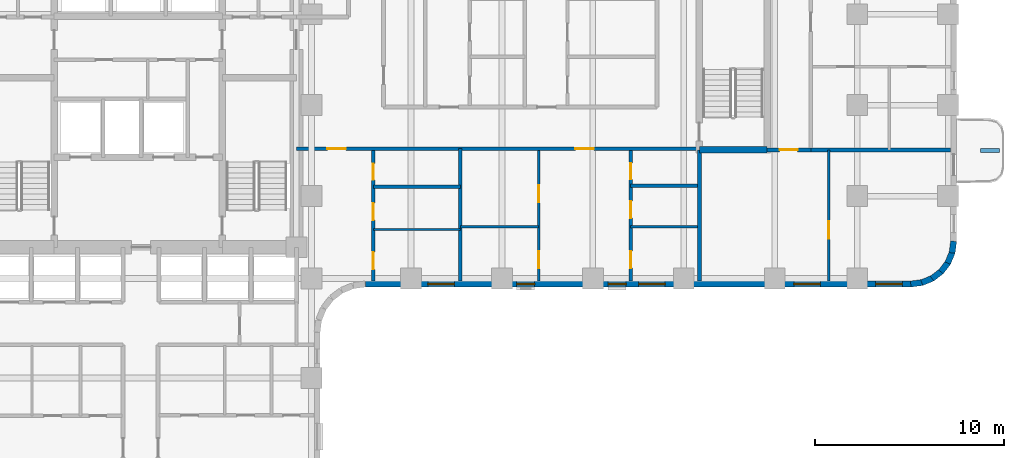
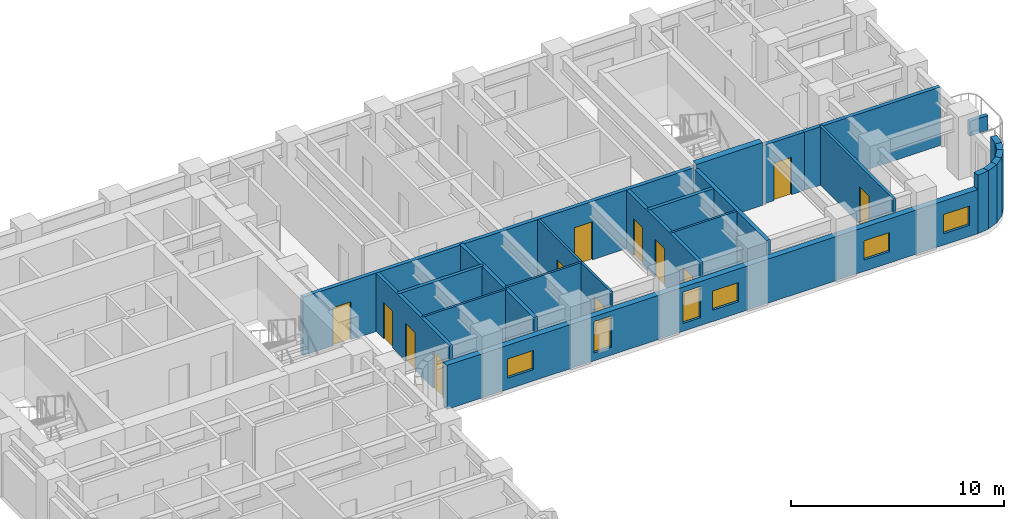
# One storey, part 5 of 10: 23 walls, 12 doors, 6 windows, 18 openings.
"""IFC4 building model written with IfcOpenShell, lengths in metres."""

from ifc_helpers import new_model, si_unit, direction, frame, frame_2d, origin, place, context, subcontext, project, spatial, rectangle, extrude, material, layer, layer_set, type_object, element, fill, save


model = new_model("IFC4")

# Units and contexts
model_context = context("Model", 3, precision=1e-05, world=origin(), true_north=direction((0.0, 1.0)))
body_context = subcontext(model_context, "Body", "Model", "MODEL_VIEW")
ifc_project = project(units=[si_unit("LENGTHUNIT", "METRE"), si_unit("AREAUNIT", "SQUARE_METRE"), si_unit("VOLUMEUNIT", "CUBIC_METRE"), si_unit("PLANEANGLEUNIT", "RADIAN"), si_unit("MASSUNIT", "GRAM", prefix="KILO")], contexts=[model_context])

# Site, building, storey
site_placement = place(None, origin())
site = spatial("IfcSite", under=ifc_project, at=site_placement, CompositionType="ELEMENT")
building_placement = place(site_placement, origin())
building = spatial("IfcBuilding", under=site, at=building_placement, Name="Orvandelia Arch Residences", CompositionType="ELEMENT")
storey_placement = place(building_placement, frame((0.0, 0.0, 28.60009765625)))
storey = spatial("IfcBuildingStorey", under=building, at=storey_placement, Name="L06", CompositionType="ELEMENT", Elevation=28.60009765625)

# Wall
ifc_material_1 = material(Name="Concrete C50/60", Category="concrete")
ifc_layer_1 = layer(ifc_material_1, 0.35009765625, Name="Concrete C50/60", Category="concrete")
ifc_layer_set_1 = layer_set([ifc_layer_1], Name="Concrete C50/60")
wall_type_1 = type_object("IfcWallType", Name="WL-CORE-350", PredefinedType="SHEAR", material=ifc_layer_set_1)
wall_1_placement = place(storey_placement, frame((44.02001953125, 36.0400390625, 0.0), z_axis=(0.0, 0.0, 1.0), x_axis=(1.0, 0.0, 0.0)))
element("IfcWall", 1, at=wall_1_placement, inside=storey, type_object=wall_type_1, Name="East Stair Core Shear Wall L06-S", PredefinedType="SHEAR", context=body_context, shape_type="SweptSolid", body=[
    extrude(rectangle(XDim=3.580078125, YDim=0.35009765625, at=frame_2d((1.7900390625, 0.0))), origin(), (0.0, 0.0, 1.0), 3.599853515625),
])

# Wall, openings, doors
ifc_material_2 = material(Name="Fire-Rated Corridor Partition")
ifc_layer_2 = layer(ifc_material_2, 0.199951171875, Name="Fire-Rated Corridor Partition")
ifc_layer_set_2 = layer_set([ifc_layer_2], Name="Fire-Rated Corridor Partition")
wall_type_2 = type_object("IfcWallType", Name="WL-CORR-200", PredefinedType="PARTITIONING", material=ifc_layer_set_2)
wall_2_placement = place(storey_placement, frame((22.75, 36.10009765625, 0.0), z_axis=(0.0, 0.0, 1.0), x_axis=(1.0, 0.0, 0.0)))
wall_2 = element("IfcWall", 2, at=wall_2_placement, inside=storey, type_object=wall_type_2, Name="Interior Partition Wall WL-L06-EM-S1", PredefinedType="PARTITIONING", context=body_context, shape_type="SweptSolid", body=[
    extrude(rectangle(XDim=21.27001953125, YDim=0.199951171875, at=frame_2d((10.635009765625, 0.0))), origin(), (0.0, 0.0, 1.0), 3.349853515625),
])
opening_1_placement = place(wall_2_placement, frame((1.62841796875, 0.0, 0.0)))
opening_1 = element("IfcOpeningElement", 3, at=opening_1_placement, cuts=wall_2, Name="Opening D1", PredefinedType="OPENING", context=body_context, shape_type="SweptSolid", body=[
    extrude(rectangle(XDim=0.97998046875, YDim=2.179931640625, at=frame_2d((0.489990234375, 1.08984375))), frame((0.0, 0.10986328125, 0.0), z_axis=(0.0, -1.0, 0.0), x_axis=(1.0, 0.0, 0.0)), (0.0, 0.0, 1.0), 0.219970703125),
])
opening_2_placement = place(wall_2_placement, frame((14.724609375, 0.0, 0.0)))
opening_2 = element("IfcOpeningElement", 4, at=opening_2_placement, cuts=wall_2, Name="Opening D1", PredefinedType="OPENING", context=body_context, shape_type="SweptSolid", body=[
    extrude(rectangle(XDim=0.97998046875, YDim=2.179931640625, at=frame_2d((0.489990234375, 1.08984375))), frame((0.0, 0.10986328125, 0.0), z_axis=(0.0, -1.0, 0.0), x_axis=(1.0, 0.0, 0.0)), (0.0, 0.0, 1.0), 0.219970703125),
])
ifc_material_3 = material(Name="Solid-Core Timber Acoustic Fire Door", Category="wood")
door_type_1 = type_object("IfcDoorType", Name="DR-ENT-980", OperationType="NOTDEFINED", PredefinedType="DOOR", material=ifc_material_3)
door_1_placement = place(opening_1_placement, origin())
door_1 = element("IfcDoor", 5, at=door_1_placement, inside=storey, type_object=door_type_1, Name="Unit L06-07 Entrance Door", OperationType="SINGLE_SWING_LEFT", OverallHeight=2.179931640625, OverallWidth=0.97998046875, PredefinedType="DOOR", context=body_context, shape_type="SweptSolid", body=[
    extrude(rectangle(XDim=0.97998046875, YDim=2.179931640625, at=frame_2d((0.489990234375, 1.08984375))), frame((0.0, 0.02490234375, 0.0), z_axis=(0.0, -1.0, 0.0), x_axis=(1.0, 0.0, 0.0)), (0.0, 0.0, 1.0), 0.050048828125),
])
fill(opening_1, door_1)
door_2_placement = place(opening_2_placement, origin())
door_2 = element("IfcDoor", 6, at=door_2_placement, inside=storey, type_object=door_type_1, Name="Unit L06-08 Entrance Door", OperationType="SINGLE_SWING_RIGHT", OverallHeight=2.179931640625, OverallWidth=0.97998046875, PredefinedType="DOOR", context=body_context, shape_type="SweptSolid", body=[
    extrude(rectangle(XDim=0.97998046875, YDim=2.179931640625, at=frame_2d((0.489990234375, 1.08984375))), frame((0.0, 0.02490234375, 0.0), z_axis=(0.0, -1.0, 0.0), x_axis=(1.0, 0.0, 0.0)), (0.0, 0.0, 1.0), 0.050048828125),
])
fill(opening_2, door_2)

# Wall, opening, door
wall_3_placement = place(storey_placement, frame((47.60009765625, 36.0400390625, 0.0), z_axis=(0.0, 0.0, 1.0), x_axis=(1.0, 0.0, 0.0)))
wall_3 = element("IfcWall", 7, at=wall_3_placement, inside=storey, type_object=wall_type_2, Name="Interior Partition Wall WL-L06-ETE-S", PredefinedType="PARTITIONING", context=body_context, shape_type="SweptSolid", body=[
    extrude(rectangle(XDim=2.2998046875, YDim=0.199951171875, at=frame_2d((1.14990234375, 0.0))), origin(), (0.0, 0.0, 1.0), 3.349853515625),
])
opening_3_placement = place(wall_3_placement, frame((0.64990234375, 0.0, 0.0)))
opening_3 = element("IfcOpeningElement", 8, at=opening_3_placement, cuts=wall_3, Name="Opening D2", PredefinedType="OPENING", context=body_context, shape_type="SweptSolid", body=[
    extrude(rectangle(XDim=0.949951171875, YDim=2.14990234375, at=frame_2d((0.47509765625, 1.074951171875))), frame((0.0, 0.10986328125, 0.0), z_axis=(0.0, -1.0, 0.0), x_axis=(1.0, 0.0, 0.0)), (0.0, 0.0, 1.0), 0.219970703125),
])
ifc_material_4 = material(Name="Solid-Core Timber Interior Fire Door", Category="wood")
door_type_2 = type_object("IfcDoorType", Name="DR-APT-950", OperationType="NOTDEFINED", PredefinedType="DOOR", material=ifc_material_4)
door_3_placement = place(opening_3_placement, origin())
door_3 = element("IfcDoor", 9, at=door_3_placement, inside=storey, type_object=door_type_2, Name="DR-L06-EMS3", OperationType="SINGLE_SWING_LEFT", OverallHeight=2.14990234375, OverallWidth=0.949951171875, PredefinedType="DOOR", context=body_context, shape_type="SweptSolid", body=[
    extrude(rectangle(XDim=0.949951171875, YDim=2.14990234375, at=frame_2d((0.47509765625, 1.074951171875))), frame((0.0, 0.02490234375, 0.0), z_axis=(0.0, -1.0, 0.0), x_axis=(1.0, 0.0, 0.0)), (0.0, 0.0, 1.0), 0.050048828125),
])
fill(opening_3, door_3)

# Walls
ifc_material_5 = material(Name="Concrete C40/50", Category="concrete")
ifc_layer_3 = layer(ifc_material_5, 0.199951171875, Name="Concrete C40/50", Category="concrete")
ifc_layer_set_3 = layer_set([ifc_layer_3], Name="Concrete C40/50")
wall_type_3 = type_object("IfcWallType", Name="WL-DEM-200", PredefinedType="SOLIDWALL", material=ifc_layer_set_3)
wall_4_placement = place(storey_placement, frame((31.39990234375, 29.1201171875, 0.0), z_axis=(0.0, 0.0, 1.0), x_axis=(0.0, 1.0, 0.0)))
element("IfcWall", 10, at=wall_4_placement, inside=storey, type_object=wall_type_3, Name="Interior Partition Wall WL-L06-DEM-EMS-314", PredefinedType="SOLIDWALL", context=body_context, shape_type="SweptSolid", body=[
    extrude(rectangle(XDim=6.97998046875, YDim=0.199951171875, at=frame_2d((3.489990234375, 0.0))), origin(), (0.0, 0.0, 1.0), 3.349853515625),
])
wall_5_placement = place(storey_placement, frame((44.02001953125, 29.1201171875, 0.0), z_axis=(0.0, 0.0, 1.0), x_axis=(0.0, 1.0, 0.0)))
element("IfcWall", 11, at=wall_5_placement, inside=storey, type_object=wall_type_3, Name="Interior Partition Wall WL-L06-EMS3-W", PredefinedType="SOLIDWALL", context=body_context, shape_type="SweptSolid", body=[
    extrude(rectangle(XDim=6.919921875, YDim=0.199951171875, at=frame_2d((3.4599609375, 0.0))), origin(), (0.0, 0.0, 1.0), 3.349853515625),
])
wall_6_placement = place(storey_placement, frame((49.89990234375, 36.0400390625, 0.0), z_axis=(0.0, 0.0, 1.0), x_axis=(1.0, 0.0, 0.0)))
element("IfcWall", 12, at=wall_6_placement, inside=storey, type_object=wall_type_3, Name="Interior Partition Wall WL-L06-EMS3-N2", PredefinedType="SOLIDWALL", context=body_context, shape_type="SweptSolid", body=[
    extrude(rectangle(XDim=7.380126953125, YDim=0.199951171875, at=frame_2d((3.68994140625, 0.0))), origin(), (0.0, 0.0, 1.0), 3.349853515625),
])
ifc_material_6 = material(Name="Precast concrete C40/50", Category="concrete")
ifc_layer_4 = layer(ifc_material_6, 0.320068359375, Name="Precast concrete C40/50", Category="concrete")
ifc_layer_set_4 = layer_set([ifc_layer_4], Name="Precast concrete C40/50")
wall_type_4 = type_object("IfcWallType", Name="WL-EXT-STONE-320", PredefinedType="STANDARD", material=ifc_layer_set_4)
wall_7_placement = place(storey_placement, frame((57.44140625, 31.220947265625, 0.0), z_axis=(0.0, 0.0, 1.0), x_axis=(-0.130504898859, -0.991447664465, 0.0)))
element("IfcWall", 13, at=wall_7_placement, inside=storey, type_object=wall_type_4, Name="Coral-Limestone Precast Facade Wall L06-015", PredefinedType="STANDARD", context=body_context, shape_type="SweptSolid", body=[
    extrude(rectangle(XDim=0.626708984375, YDim=0.320068359375, at=frame_2d((0.3134765625, 0.0))), origin(), (0.0, 0.0, 1.0), 3.349853515625),
])
wall_8_placement = place(storey_placement, frame((57.370361328125, 30.639892578125, 0.0), z_axis=(0.0, 0.0, 1.0), x_axis=(-0.382787856107, -0.923836271867, 0.0)))
element("IfcWall", 14, at=wall_8_placement, inside=storey, type_object=wall_type_4, Name="Coral-Limestone Precast Facade Wall L06-016", PredefinedType="STANDARD", context=body_context, shape_type="SweptSolid", body=[
    extrude(rectangle(XDim=0.626220703125, YDim=0.320068359375, at=frame_2d((0.31298828125, 0.0))), origin(), (0.0, 0.0, 1.0), 3.349853515625),
])
wall_9_placement = place(storey_placement, frame((57.151611328125, 30.097412109375, 0.0), z_axis=(0.0, 0.0, 1.0), x_axis=(-0.608693302629, -0.793405610854, 0.0)))
element("IfcWall", 15, at=wall_9_placement, inside=storey, type_object=wall_type_4, Name="Coral-Limestone Precast Facade Wall L06-017", PredefinedType="STANDARD", context=body_context, shape_type="SweptSolid", body=[
    extrude(rectangle(XDim=0.62646484375, YDim=0.320068359375, at=frame_2d((0.313232421875, 0.0))), origin(), (0.0, 0.0, 1.0), 3.349853515625),
])
wall_10_placement = place(storey_placement, frame((56.7998046875, 29.6298828125, 0.0), z_axis=(0.0, 0.0, 1.0), x_axis=(-0.793361818833, -0.608750379399, 0.0)))
element("IfcWall", 16, at=wall_10_placement, inside=storey, type_object=wall_type_4, Name="Coral-Limestone Precast Facade Wall L06-018", PredefinedType="STANDARD", context=body_context, shape_type="SweptSolid", body=[
    extrude(rectangle(XDim=0.626953125, YDim=0.320068359375, at=frame_2d((0.3134765625, 0.0))), origin(), (0.0, 0.0, 1.0), 3.349853515625),
])
for number, where, z_axis, x_axis, name in (
    (17, (56.3388671875, 29.269287109375, 0.0), (0.0, 0.0, 1.0), (-0.92389335771, -0.382650053678, 0.0), "Coral-Limestone Precast Facade Wall L06-019"),
    (18, (55.80029296875, 29.040283203125, 0.0), (0.0, 0.0, 1.0), (-0.9914410257, -0.130555323746, 0.0), "Coral-Limestone Precast Facade Wall L06-020"),
):
    element("IfcWall", number, at=place(storey_placement, frame(where, z_axis=z_axis, x_axis=x_axis)), inside=storey, type_object=wall_type_4, Name=name, PredefinedType="STANDARD", context=body_context, shape_type="SweptSolid", body=[
        extrude(rectangle(XDim=0.62646484375, YDim=0.320068359375, at=frame_2d((0.313232421875, 0.0))), origin(), (0.0, 0.0, 1.0), 3.349853515625),
    ])

# Wall, openings, windows
wall_11_placement = place(storey_placement, frame((55.199951171875, 28.9599609375, 0.0), z_axis=(0.0, 0.0, 1.0), x_axis=(-1.0, 0.0, 0.0)))
wall_11 = element("IfcWall", 19, at=wall_11_placement, inside=storey, type_object=wall_type_4, Name="Coral-Limestone Precast Facade Wall L06-021", PredefinedType="STANDARD", context=body_context, shape_type="SweptSolid", body=[
    extrude(rectangle(XDim=28.800048828125, YDim=0.320068359375, at=frame_2d((14.39990234375, 0.0))), origin(), (0.0, 0.0, 1.0), 2.52978515625),
])
opening_4_placement = place(wall_11_placement, frame((24.114990234375, 0.0, 0.64990234375)))
opening_4 = element("IfcOpeningElement", 20, at=opening_4_placement, cuts=wall_11, Name="Opening W10", PredefinedType="OPENING", context=body_context, shape_type="SweptSolid", body=[
    extrude(rectangle(XDim=1.39990234375, YDim=1.10009765625, at=frame_2d((0.699951171875, 0.550048828125))), frame((0.0, 0.169921875, 0.0), z_axis=(0.0, -1.0, 0.0), x_axis=(1.0, 0.0, 0.0)), (0.0, 0.0, 1.0), 0.340087890625),
])
opening_5_placement = place(wall_11_placement, frame((12.990966796875, 0.0, 0.64990234375)))
opening_5 = element("IfcOpeningElement", 21, at=opening_5_placement, cuts=wall_11, Name="Opening W10", PredefinedType="OPENING", context=body_context, shape_type="SweptSolid", body=[
    extrude(rectangle(XDim=1.39990234375, YDim=1.10009765625, at=frame_2d((0.699951171875, 0.550048828125))), frame((0.0, 0.169921875, 0.0), z_axis=(0.0, -1.0, 0.0), x_axis=(1.0, 0.0, 0.0)), (0.0, 0.0, 1.0), 0.340087890625),
])
opening_6_placement = place(wall_11_placement, frame((19.869384765625, 0.0, 0.449951171875)))
opening_6 = element("IfcOpeningElement", 22, at=opening_6_placement, cuts=wall_11, Name="Opening W4", PredefinedType="OPENING", context=body_context, shape_type="SweptSolid", body=[
    extrude(rectangle(XDim=0.949951171875, YDim=1.800048828125, at=frame_2d((0.47509765625, 0.89990234375))), frame((0.0, 0.169921875, 0.0), z_axis=(0.0, -1.0, 0.0), x_axis=(1.0, 0.0, 0.0)), (0.0, 0.0, 1.0), 0.340087890625),
])
opening_7_placement = place(wall_11_placement, frame((4.7900390625, 0.0, 0.64990234375)))
opening_7 = element("IfcOpeningElement", 23, at=opening_7_placement, cuts=wall_11, Name="Opening W10", PredefinedType="OPENING", context=body_context, shape_type="SweptSolid", body=[
    extrude(rectangle(XDim=1.39990234375, YDim=1.10009765625, at=frame_2d((0.699951171875, 0.550048828125))), frame((0.0, 0.169921875, 0.0), z_axis=(0.0, -1.0, 0.0), x_axis=(1.0, 0.0, 0.0)), (0.0, 0.0, 1.0), 0.340087890625),
])
opening_8_placement = place(wall_11_placement, frame((0.469970703125, 0.0, 0.64990234375)))
opening_8 = element("IfcOpeningElement", 24, at=opening_8_placement, cuts=wall_11, Name="Opening W10", PredefinedType="OPENING", context=body_context, shape_type="SweptSolid", body=[
    extrude(rectangle(XDim=1.39990234375, YDim=1.10009765625, at=frame_2d((0.699951171875, 0.550048828125))), frame((0.0, 0.169921875, 0.0), z_axis=(0.0, -1.0, 0.0), x_axis=(1.0, 0.0, 0.0)), (0.0, 0.0, 1.0), 0.340087890625),
])
opening_9_placement = place(wall_11_placement, frame((15.0458984375, 0.0, 0.449951171875)))
opening_9 = element("IfcOpeningElement", 25, at=opening_9_placement, cuts=wall_11, Name="Opening W4", PredefinedType="OPENING", context=body_context, shape_type="SweptSolid", body=[
    extrude(rectangle(XDim=0.949951171875, YDim=1.800048828125, at=frame_2d((0.47509765625, 0.89990234375))), frame((0.0, 0.169921875, 0.0), z_axis=(0.0, -1.0, 0.0), x_axis=(1.0, 0.0, 0.0)), (0.0, 0.0, 1.0), 0.340087890625),
])
ifc_material_7 = material(Name="Tempered Low-E Insulated Glazing", Category="glass")
window_type_1 = type_object("IfcWindowType", Name="WIN-CLR-1400x1100", PartitioningType="SINGLE_PANEL", PredefinedType="WINDOW", material=ifc_material_7)
window_1_placement = place(opening_4_placement, origin())
window_1 = element("IfcWindow", 26, at=window_1_placement, inside=storey, type_object=window_type_1, Name="Recessed Punched Window L06-016", OverallHeight=1.10009765625, OverallWidth=1.39990234375, PartitioningType="SINGLE_PANEL", PredefinedType="WINDOW", context=body_context, shape_type="SweptSolid", body=[
    extrude(rectangle(XDim=1.39990234375, YDim=1.10009765625, at=frame_2d((0.699951171875, 0.550048828125))), frame((0.0, 0.030029296875, 0.0), z_axis=(0.0, -1.0, 0.0), x_axis=(1.0, 0.0, 0.0)), (0.0, 0.0, 1.0), 0.06005859375),
])
fill(opening_4, window_1)
window_2_placement = place(opening_5_placement, origin())
window_2 = element("IfcWindow", 27, at=window_2_placement, inside=storey, type_object=window_type_1, Name="Recessed Punched Window L06-017", OverallHeight=1.10009765625, OverallWidth=1.39990234375, PartitioningType="SINGLE_PANEL", PredefinedType="WINDOW", context=body_context, shape_type="SweptSolid", body=[
    extrude(rectangle(XDim=1.39990234375, YDim=1.10009765625, at=frame_2d((0.699951171875, 0.550048828125))), frame((0.0, 0.030029296875, 0.0), z_axis=(0.0, -1.0, 0.0), x_axis=(1.0, 0.0, 0.0)), (0.0, 0.0, 1.0), 0.06005859375),
])
fill(opening_5, window_2)
window_3_placement = place(opening_7_placement, origin())
window_3 = element("IfcWindow", 28, at=window_3_placement, inside=storey, type_object=window_type_1, Name="Recessed Punched Window L06-019", OverallHeight=1.10009765625, OverallWidth=1.39990234375, PartitioningType="SINGLE_PANEL", PredefinedType="WINDOW", context=body_context, shape_type="SweptSolid", body=[
    extrude(rectangle(XDim=1.39990234375, YDim=1.10009765625, at=frame_2d((0.699951171875, 0.550048828125))), frame((0.0, 0.030029296875, 0.0), z_axis=(0.0, -1.0, 0.0), x_axis=(1.0, 0.0, 0.0)), (0.0, 0.0, 1.0), 0.06005859375),
])
fill(opening_7, window_3)
window_4_placement = place(opening_8_placement, origin())
window_4 = element("IfcWindow", 29, at=window_4_placement, inside=storey, type_object=window_type_1, Name="Recessed Punched Window L06-020", OverallHeight=1.10009765625, OverallWidth=1.39990234375, PartitioningType="SINGLE_PANEL", PredefinedType="WINDOW", context=body_context, shape_type="SweptSolid", body=[
    extrude(rectangle(XDim=1.39990234375, YDim=1.10009765625, at=frame_2d((0.699951171875, 0.550048828125))), frame((0.0, 0.030029296875, 0.0), z_axis=(0.0, -1.0, 0.0), x_axis=(1.0, 0.0, 0.0)), (0.0, 0.0, 1.0), 0.06005859375),
])
fill(opening_8, window_4)
window_type_2 = type_object("IfcWindowType", Name="WIN-RES-0950x1800", PartitioningType="SINGLE_PANEL", PredefinedType="WINDOW", material=ifc_material_7)
window_5_placement = place(opening_6_placement, origin())
window_5 = element("IfcWindow", 30, at=window_5_placement, inside=storey, type_object=window_type_2, Name="Recessed Punched Window L06-018", OverallHeight=1.800048828125, OverallWidth=0.949951171875, PartitioningType="SINGLE_PANEL", PredefinedType="WINDOW", context=body_context, shape_type="SweptSolid", body=[
    extrude(rectangle(XDim=0.949951171875, YDim=1.800048828125, at=frame_2d((0.47509765625, 0.89990234375))), frame((0.0, 0.030029296875, 0.0), z_axis=(0.0, -1.0, 0.0), x_axis=(1.0, 0.0, 0.0)), (0.0, 0.0, 1.0), 0.06005859375),
])
fill(opening_6, window_5)
window_6_placement = place(opening_9_placement, origin())
window_6 = element("IfcWindow", 31, at=window_6_placement, inside=storey, type_object=window_type_2, Name="Recessed Punched Window L06-021", OverallHeight=1.800048828125, OverallWidth=0.949951171875, PartitioningType="SINGLE_PANEL", PredefinedType="WINDOW", context=body_context, shape_type="SweptSolid", body=[
    extrude(rectangle(XDim=0.949951171875, YDim=1.800048828125, at=frame_2d((0.47509765625, 0.89990234375))), frame((0.0, 0.030029296875, 0.0), z_axis=(0.0, -1.0, 0.0), x_axis=(1.0, 0.0, 0.0)), (0.0, 0.0, 1.0), 0.06005859375),
])
fill(opening_9, window_6)

# Wall
ifc_material_8 = material(Name="Lightweight Gypsum Stud Partition")
ifc_layer_5 = layer(ifc_material_8, 0.1201171875, Name="Lightweight Gypsum Stud Partition")
ifc_layer_set_5 = layer_set([ifc_layer_5], Name="Lightweight Gypsum Stud Partition")
wall_type_5 = type_object("IfcWallType", Name="WL-PART-120", PredefinedType="PARTITIONING", material=ifc_layer_set_5)
wall_12_placement = place(storey_placement, frame((26.806884765625, 31.8359375, 0.0), z_axis=(0.0, 0.0, 1.0), x_axis=(1.0, 0.0, 0.0)))
element("IfcWall", 32, at=wall_12_placement, inside=storey, type_object=wall_type_5, Name="Interior Partition Wall WL-L06-U07-H1", PredefinedType="PARTITIONING", context=body_context, shape_type="SweptSolid", body=[
    extrude(rectangle(XDim=4.593017578125, YDim=0.1201171875, at=frame_2d((2.29638671875, 0.0))), origin(), (0.0, 0.0, 1.0), 3.349853515625),
])

# Wall, openings, doors
wall_13_placement = place(storey_placement, frame((35.541015625, 29.1201171875, 0.0), z_axis=(0.0, 0.0, 1.0), x_axis=(0.0, 1.0, 0.0)))
wall_13 = element("IfcWall", 33, at=wall_13_placement, inside=storey, type_object=wall_type_5, Name="Interior Partition Wall WL-L06-U08-VB", PredefinedType="PARTITIONING", context=body_context, shape_type="SweptSolid", body=[
    extrude(rectangle(XDim=6.8798828125, YDim=0.1201171875, at=frame_2d((3.43994140625, 0.0))), origin(), (0.0, 0.0, 1.0), 3.349853515625),
])
opening_10_placement = place(wall_13_placement, frame((0.67919921875, 0.0, 0.0)))
opening_10 = element("IfcOpeningElement", 34, at=opening_10_placement, cuts=wall_13, Name="Opening D3", PredefinedType="OPENING", context=body_context, shape_type="SweptSolid", body=[
    extrude(rectangle(XDim=0.89990234375, YDim=2.14990234375, at=frame_2d((0.449951171875, 1.074951171875))), frame((0.0, 0.070068359375, 0.0), z_axis=(0.0, -1.0, 0.0), x_axis=(1.0, 0.0, 0.0)), (0.0, 0.0, 1.0), 0.14013671875),
])
opening_11_placement = place(wall_13_placement, frame((4.148681640625, 0.0, 0.0)))
opening_11 = element("IfcOpeningElement", 35, at=opening_11_placement, cuts=wall_13, Name="Opening D3", PredefinedType="OPENING", context=body_context, shape_type="SweptSolid", body=[
    extrude(rectangle(XDim=0.89990234375, YDim=2.14990234375, at=frame_2d((0.449951171875, 1.074951171875))), frame((0.0, 0.070068359375, 0.0), z_axis=(0.0, -1.0, 0.0), x_axis=(1.0, 0.0, 0.0)), (0.0, 0.0, 1.0), 0.14013671875),
])
ifc_material_9 = material(Name="Engineered Timber Flush Door", Category="wood")
door_type_3 = type_object("IfcDoorType", Name="DR-INT-900", OperationType="NOTDEFINED", PredefinedType="DOOR", material=ifc_material_9)
door_4_placement = place(opening_10_placement, origin())
door_4 = element("IfcDoor", 36, at=door_4_placement, inside=storey, type_object=door_type_3, Name="DR-L06-U08-BD2", OperationType="SINGLE_SWING_LEFT", OverallHeight=2.14990234375, OverallWidth=0.89990234375, PredefinedType="DOOR", context=body_context, shape_type="SweptSolid", body=[
    extrude(rectangle(XDim=0.89990234375, YDim=2.14990234375, at=frame_2d((0.449951171875, 1.074951171875))), frame((0.0, 0.02490234375, 0.0), z_axis=(0.0, -1.0, 0.0), x_axis=(1.0, 0.0, 0.0)), (0.0, 0.0, 1.0), 0.050048828125),
])
fill(opening_10, door_4)
door_5_placement = place(opening_11_placement, origin())
door_5 = element("IfcDoor", 37, at=door_5_placement, inside=storey, type_object=door_type_3, Name="DR-L06-U08-STDY", OperationType="SINGLE_SWING_RIGHT", OverallHeight=2.14990234375, OverallWidth=0.89990234375, PredefinedType="DOOR", context=body_context, shape_type="SweptSolid", body=[
    extrude(rectangle(XDim=0.89990234375, YDim=2.14990234375, at=frame_2d((0.449951171875, 1.074951171875))), frame((0.0, 0.02490234375, 0.0), z_axis=(0.0, -1.0, 0.0), x_axis=(1.0, 0.0, 0.0)), (0.0, 0.0, 1.0), 0.050048828125),
])
fill(opening_11, door_5)

# Walls
wall_14_placement = place(storey_placement, frame((31.39990234375, 31.97509765625, 0.0), z_axis=(0.0, 0.0, 1.0), x_axis=(1.0, 0.0, 0.0)))
element("IfcWall", 38, at=wall_14_placement, inside=storey, type_object=wall_type_5, Name="Interior Partition Wall WL-L06-U08-HB", PredefinedType="PARTITIONING", context=body_context, shape_type="SweptSolid", body=[
    extrude(rectangle(XDim=4.14111328125, YDim=0.1201171875, at=frame_2d((2.070556640625, 0.0))), origin(), (0.0, 0.0, 1.0), 3.349853515625),
])
wall_15_placement = place(storey_placement, frame((40.387939453125, 31.97509765625, 0.0), z_axis=(0.0, 0.0, 1.0), x_axis=(1.0, 0.0, 0.0)))
element("IfcWall", 39, at=wall_15_placement, inside=storey, type_object=wall_type_5, Name="Interior Partition Wall WL-L06-U08-H1", PredefinedType="PARTITIONING", context=body_context, shape_type="SweptSolid", body=[
    extrude(rectangle(XDim=3.531982421875, YDim=0.1201171875, at=frame_2d((1.76611328125, 0.0))), origin(), (0.0, 0.0, 1.0), 3.349853515625),
])

# Wall, opening, door
ifc_material_10 = material(Name="Acoustic Gypsum Stud Partition")
ifc_layer_6 = layer(ifc_material_10, 0.14990234375, Name="Acoustic Gypsum Stud Partition")
ifc_layer_set_6 = layer_set([ifc_layer_6], Name="Acoustic Gypsum Stud Partition")
wall_type_6 = type_object("IfcWallType", Name="WL-PART-150", PredefinedType="PARTITIONING", material=ifc_layer_set_6)
wall_16_placement = place(storey_placement, frame((50.85009765625, 29.1201171875, 0.0), z_axis=(0.0, 0.0, 1.0), x_axis=(0.0, 1.0, 0.0)))
wall_16 = element("IfcWall", 40, at=wall_16_placement, inside=storey, type_object=wall_type_6, Name="Interior Partition Wall WL-L06-EMS3-M", PredefinedType="PARTITIONING", context=body_context, shape_type="SweptSolid", body=[
    extrude(rectangle(XDim=6.919921875, YDim=0.14990234375, at=frame_2d((3.4599609375, 0.0))), origin(), (0.0, 0.0, 1.0), 3.349853515625),
])
opening_12_placement = place(wall_16_placement, frame((2.239990234375, 0.0, 0.0)))
opening_12 = element("IfcOpeningElement", 41, at=opening_12_placement, cuts=wall_16, Name="Opening D3", PredefinedType="OPENING", context=body_context, shape_type="SweptSolid", body=[
    extrude(rectangle(XDim=0.89990234375, YDim=2.14990234375, at=frame_2d((0.449951171875, 1.074951171875))), frame((0.0, 0.0849609375, 0.0), z_axis=(0.0, -1.0, 0.0), x_axis=(1.0, 0.0, 0.0)), (0.0, 0.0, 1.0), 0.169921875),
])
door_6_placement = place(opening_12_placement, origin())
door_6 = element("IfcDoor", 42, at=door_6_placement, inside=storey, type_object=door_type_3, Name="DR-L06-EMS3M", OperationType="SINGLE_SWING_RIGHT", OverallHeight=2.14990234375, OverallWidth=0.89990234375, PredefinedType="DOOR", context=body_context, shape_type="SweptSolid", body=[
    extrude(rectangle(XDim=0.89990234375, YDim=2.14990234375, at=frame_2d((0.449951171875, 1.074951171875))), frame((0.0, 0.02490234375, 0.0), z_axis=(0.0, -1.0, 0.0), x_axis=(1.0, 0.0, 0.0)), (0.0, 0.0, 1.0), 0.050048828125),
])
fill(opening_12, door_6)

# Wall
ifc_layer_7 = layer(ifc_material_6, 0.199951171875, Name="Precast concrete C40/50", Category="concrete")
ifc_layer_set_7 = layer_set([ifc_layer_7], Name="Precast concrete C40/50")
wall_type_7 = type_object("IfcWallType", Name="WL-PLANTER-200", PredefinedType="MOVABLE", material=ifc_layer_set_7)
wall_17_placement = place(storey_placement, frame((58.85009765625, 36.0, 0.0), z_axis=(0.0, 0.0, 1.0), x_axis=(1.0, 0.0, 0.0)))
element("IfcWall", 43, at=wall_17_placement, inside=storey, type_object=wall_type_7, Name="Balcony Precast Tree Planter BAL-L06-E1", PredefinedType="MOVABLE", context=body_context, shape_type="SweptSolid", body=[
    extrude(rectangle(XDim=1.0, YDim=0.199951171875, at=frame_2d((0.5, 0.0))), origin(), (0.0, 0.0, 1.0), 0.849853515625),
])

# Wall, openings, doors
ifc_material_11 = material(Name="Moisture-Resistant Plumbing Wall")
ifc_layer_8 = layer(ifc_material_11, 0.179931640625, Name="Moisture-Resistant Plumbing Wall")
ifc_layer_set_8 = layer_set([ifc_layer_8], Name="Moisture-Resistant Plumbing Wall")
wall_type_8 = type_object("IfcWallType", Name="WL-WET-180", PredefinedType="PLUMBINGWALL", material=ifc_layer_set_8)
wall_18_placement = place(storey_placement, frame((26.806884765625, 29.1201171875, 0.0), z_axis=(0.0, 0.0, 1.0), x_axis=(0.0, 1.0, 0.0)))
wall_18 = element("IfcWall", 44, at=wall_18_placement, inside=storey, type_object=wall_type_8, Name="Interior Partition Wall WL-L06-U07-VT", PredefinedType="PLUMBINGWALL", context=body_context, shape_type="SweptSolid", body=[
    extrude(rectangle(XDim=6.8798828125, YDim=0.179931640625, at=frame_2d((3.43994140625, 0.0))), origin(), (0.0, 0.0, 1.0), 3.349853515625),
])
opening_13_placement = place(wall_18_placement, frame((0.61669921875, 0.0, 0.0)))
opening_13 = element("IfcOpeningElement", 45, at=opening_13_placement, cuts=wall_18, Name="Opening D3", PredefinedType="OPENING", context=body_context, shape_type="SweptSolid", body=[
    extrude(rectangle(XDim=0.89990234375, YDim=2.14990234375, at=frame_2d((0.449951171875, 1.074951171875))), frame((0.0, 0.10009765625, 0.0), z_axis=(0.0, -1.0, 0.0), x_axis=(1.0, 0.0, 0.0)), (0.0, 0.0, 1.0), 0.199951171875),
])
opening_14_placement = place(wall_18_placement, frame((3.21044921875, 0.0, 0.0)))
opening_14 = element("IfcOpeningElement", 46, at=opening_14_placement, cuts=wall_18, Name="Opening D3", PredefinedType="OPENING", context=body_context, shape_type="SweptSolid", body=[
    extrude(rectangle(XDim=0.89990234375, YDim=2.14990234375, at=frame_2d((0.449951171875, 1.074951171875))), frame((0.0, 0.10009765625, 0.0), z_axis=(0.0, -1.0, 0.0), x_axis=(1.0, 0.0, 0.0)), (0.0, 0.0, 1.0), 0.199951171875),
])
opening_15_placement = place(wall_18_placement, frame((5.331787109375, 0.0, 0.0)))
opening_15 = element("IfcOpeningElement", 47, at=opening_15_placement, cuts=wall_18, Name="Opening D4", PredefinedType="OPENING", context=body_context, shape_type="SweptSolid", body=[
    extrude(rectangle(XDim=0.860107421875, YDim=2.10009765625, at=frame_2d((0.43017578125, 1.050048828125))), frame((0.0, 0.10009765625, 0.0), z_axis=(0.0, -1.0, 0.0), x_axis=(1.0, 0.0, 0.0)), (0.0, 0.0, 1.0), 0.199951171875),
])
door_7_placement = place(opening_13_placement, origin())
door_7 = element("IfcDoor", 48, at=door_7_placement, inside=storey, type_object=door_type_3, Name="DR-L06-U07-BD1", OperationType="SINGLE_SWING_LEFT", OverallHeight=2.14990234375, OverallWidth=0.89990234375, PredefinedType="DOOR", context=body_context, shape_type="SweptSolid", body=[
    extrude(rectangle(XDim=0.89990234375, YDim=2.14990234375, at=frame_2d((0.449951171875, 1.074951171875))), frame((0.0, 0.02490234375, 0.0), z_axis=(0.0, -1.0, 0.0), x_axis=(1.0, 0.0, 0.0)), (0.0, 0.0, 1.0), 0.050048828125),
])
fill(opening_13, door_7)
door_8_placement = place(opening_14_placement, origin())
door_8 = element("IfcDoor", 49, at=door_8_placement, inside=storey, type_object=door_type_3, Name="DR-L06-U07-KIT", OperationType="SINGLE_SWING_RIGHT", OverallHeight=2.14990234375, OverallWidth=0.89990234375, PredefinedType="DOOR", context=body_context, shape_type="SweptSolid", body=[
    extrude(rectangle(XDim=0.89990234375, YDim=2.14990234375, at=frame_2d((0.449951171875, 1.074951171875))), frame((0.0, 0.02490234375, 0.0), z_axis=(0.0, -1.0, 0.0), x_axis=(1.0, 0.0, 0.0)), (0.0, 0.0, 1.0), 0.050048828125),
])
fill(opening_14, door_8)
ifc_material_12 = material(Name="Moisture-Sealed Timber Bathroom Door", Category="wood")
door_type_4 = type_object("IfcDoorType", Name="DR-WET-900", OperationType="NOTDEFINED", PredefinedType="DOOR", material=ifc_material_12)
door_9_placement = place(opening_15_placement, origin())
door_9 = element("IfcDoor", 50, at=door_9_placement, inside=storey, type_object=door_type_4, Name="DR-L06-U07-BTH", OperationType="SINGLE_SWING_LEFT", OverallHeight=2.10009765625, OverallWidth=0.860107421875, PredefinedType="DOOR", context=body_context, shape_type="SweptSolid", body=[
    extrude(rectangle(XDim=0.860107421875, YDim=2.10009765625, at=frame_2d((0.43017578125, 1.050048828125))), frame((0.0, 0.02490234375, 0.0), z_axis=(0.0, -1.0, 0.0), x_axis=(1.0, 0.0, 0.0)), (0.0, 0.0, 1.0), 0.050048828125),
])
fill(opening_15, door_9)

# Wall
wall_19_placement = place(storey_placement, frame((26.806884765625, 34.0849609375, 0.0), z_axis=(0.0, 0.0, 1.0), x_axis=(1.0, 0.0, 0.0)))
element("IfcWall", 51, at=wall_19_placement, inside=storey, type_object=wall_type_8, Name="Interior Partition Wall WL-L06-U07-H2", PredefinedType="PLUMBINGWALL", context=body_context, shape_type="SweptSolid", body=[
    extrude(rectangle(XDim=4.593017578125, YDim=0.179931640625, at=frame_2d((2.29638671875, 0.0))), origin(), (0.0, 0.0, 1.0), 3.349853515625),
])

# Wall, openings, doors
wall_20_placement = place(storey_placement, frame((40.387939453125, 29.1201171875, 0.0), z_axis=(0.0, 0.0, 1.0), x_axis=(0.0, 1.0, 0.0)))
wall_20 = element("IfcWall", 52, at=wall_20_placement, inside=storey, type_object=wall_type_8, Name="Interior Partition Wall WL-L06-U08-VT", PredefinedType="PLUMBINGWALL", context=body_context, shape_type="SweptSolid", body=[
    extrude(rectangle(XDim=6.8798828125, YDim=0.179931640625, at=frame_2d((3.43994140625, 0.0))), origin(), (0.0, 0.0, 1.0), 3.349853515625),
])
opening_16_placement = place(wall_20_placement, frame((0.67919921875, 0.0, 0.0)))
opening_16 = element("IfcOpeningElement", 53, at=opening_16_placement, cuts=wall_20, Name="Opening D3", PredefinedType="OPENING", context=body_context, shape_type="SweptSolid", body=[
    extrude(rectangle(XDim=0.89990234375, YDim=2.14990234375, at=frame_2d((0.449951171875, 1.074951171875))), frame((0.0, 0.10009765625, 0.0), z_axis=(0.0, -1.0, 0.0), x_axis=(1.0, 0.0, 0.0)), (0.0, 0.0, 1.0), 0.199951171875),
])
opening_17_placement = place(wall_20_placement, frame((3.3154296875, 0.0, 0.0)))
opening_17 = element("IfcOpeningElement", 54, at=opening_17_placement, cuts=wall_20, Name="Opening D3", PredefinedType="OPENING", context=body_context, shape_type="SweptSolid", body=[
    extrude(rectangle(XDim=0.89990234375, YDim=2.14990234375, at=frame_2d((0.449951171875, 1.074951171875))), frame((0.0, 0.10009765625, 0.0), z_axis=(0.0, -1.0, 0.0), x_axis=(1.0, 0.0, 0.0)), (0.0, 0.0, 1.0), 0.199951171875),
])
opening_18_placement = place(wall_20_placement, frame((5.366455078125, 0.0, 0.0)))
opening_18 = element("IfcOpeningElement", 55, at=opening_18_placement, cuts=wall_20, Name="Opening D4", PredefinedType="OPENING", context=body_context, shape_type="SweptSolid", body=[
    extrude(rectangle(XDim=0.860107421875, YDim=2.10009765625, at=frame_2d((0.43017578125, 1.050048828125))), frame((0.0, 0.10009765625, 0.0), z_axis=(0.0, -1.0, 0.0), x_axis=(1.0, 0.0, 0.0)), (0.0, 0.0, 1.0), 0.199951171875),
])
door_10_placement = place(opening_16_placement, origin())
door_10 = element("IfcDoor", 56, at=door_10_placement, inside=storey, type_object=door_type_3, Name="DR-L06-U08-BD1", OperationType="SINGLE_SWING_RIGHT", OverallHeight=2.14990234375, OverallWidth=0.89990234375, PredefinedType="DOOR", context=body_context, shape_type="SweptSolid", body=[
    extrude(rectangle(XDim=0.89990234375, YDim=2.14990234375, at=frame_2d((0.449951171875, 1.074951171875))), frame((0.0, 0.02490234375, 0.0), z_axis=(0.0, -1.0, 0.0), x_axis=(1.0, 0.0, 0.0)), (0.0, 0.0, 1.0), 0.050048828125),
])
fill(opening_16, door_10)
door_11_placement = place(opening_17_placement, origin())
door_11 = element("IfcDoor", 57, at=door_11_placement, inside=storey, type_object=door_type_3, Name="DR-L06-U08-KIT", OperationType="SINGLE_SWING_LEFT", OverallHeight=2.14990234375, OverallWidth=0.89990234375, PredefinedType="DOOR", context=body_context, shape_type="SweptSolid", body=[
    extrude(rectangle(XDim=0.89990234375, YDim=2.14990234375, at=frame_2d((0.449951171875, 1.074951171875))), frame((0.0, 0.02490234375, 0.0), z_axis=(0.0, -1.0, 0.0), x_axis=(1.0, 0.0, 0.0)), (0.0, 0.0, 1.0), 0.050048828125),
])
fill(opening_17, door_11)
door_12_placement = place(opening_18_placement, origin())
door_12 = element("IfcDoor", 58, at=door_12_placement, inside=storey, type_object=door_type_4, Name="DR-L06-U08-BTH", OperationType="SINGLE_SWING_RIGHT", OverallHeight=2.10009765625, OverallWidth=0.860107421875, PredefinedType="DOOR", context=body_context, shape_type="SweptSolid", body=[
    extrude(rectangle(XDim=0.860107421875, YDim=2.10009765625, at=frame_2d((0.43017578125, 1.050048828125))), frame((0.0, 0.02490234375, 0.0), z_axis=(0.0, -1.0, 0.0), x_axis=(1.0, 0.0, 0.0)), (0.0, 0.0, 1.0), 0.050048828125),
])
fill(opening_18, door_12)

# Wall
wall_21_placement = place(storey_placement, frame((40.387939453125, 34.14794921875, 0.0), z_axis=(0.0, 0.0, 1.0), x_axis=(1.0, 0.0, 0.0)))
element("IfcWall", 59, at=wall_21_placement, inside=storey, type_object=wall_type_8, Name="Interior Partition Wall WL-L06-U08-H2", PredefinedType="PLUMBINGWALL", context=body_context, shape_type="SweptSolid", body=[
    extrude(rectangle(XDim=3.531982421875, YDim=0.179931640625, at=frame_2d((1.76611328125, 0.0))), origin(), (0.0, 0.0, 1.0), 3.349853515625),
])

save(model, "model.ifc")
